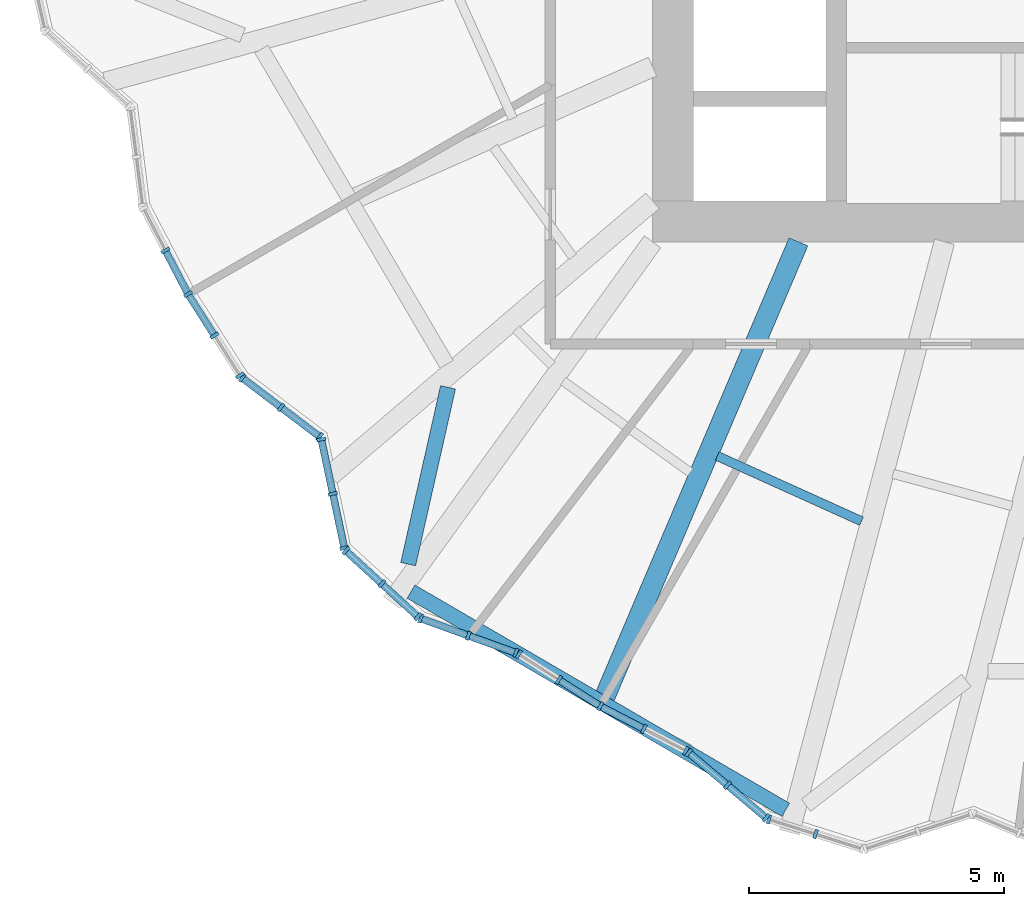
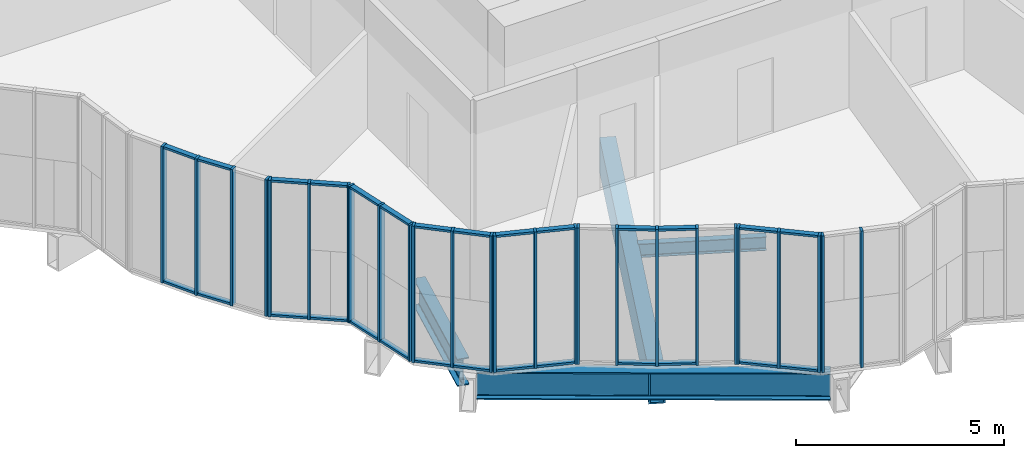
# One storey, part 1 of 23: 54 members, 4 beams, 10 elements without a shape of their own.
"""IFC4 building model written with IfcOpenShell, lengths in metres."""

from ifc_helpers import new_model, si_unit, direction, frame, origin, origin_2d, place, context, subcontext, project, spatial, rectangle, hollow_rectangle, i_section, extrude, material, material_profile, profile_set, type_object, element, aggregate, save


model = new_model("IFC4")

# Units and contexts
model_context = context("Model", 3, precision=1e-05, world=origin(), true_north=direction((0.0, 1.0)))
body_context = subcontext(model_context, "Body", "Model", "MODEL_VIEW")
ifc_project = project(units=[si_unit("LENGTHUNIT", "METRE"), si_unit("AREAUNIT", "SQUARE_METRE"), si_unit("VOLUMEUNIT", "CUBIC_METRE"), si_unit("PLANEANGLEUNIT", "RADIAN"), si_unit("MASSUNIT", "GRAM", prefix="KILO")], contexts=[model_context])

# Site, building, storey
site_placement = place(None, origin())
site = spatial("IfcSite", under=ifc_project, at=site_placement, CompositionType="ELEMENT")
building_placement = place(site_placement, origin())
building = spatial("IfcBuilding", under=site, at=building_placement, Name="Golbaran Civic Tower", CompositionType="ELEMENT")
storey_placement = place(building_placement, frame((0.0, 0.0, 33.0)))
storey = spatial("IfcBuildingStorey", under=building, at=storey_placement, Name="L07", CompositionType="ELEMENT", Elevation=33.0)

# Beams
ifc_material_1 = material(Name="Steel S355", Category="steel")
ifc_material_profile_1 = material_profile(ifc_material_1, i_section(OverallWidth=0.300048828125, OverallDepth=0.800048828125, WebThickness=0.017578125, FlangeThickness=0.032958984375, FilletRadius=0.030029296875, at=origin_2d()), Name="HEB 800")
ifc_profile_set_1 = profile_set([ifc_material_profile_1], Name="Steel S355")
beam_type_1 = type_object("IfcBeamType", Name="EDGE BEAM HEB 800", PredefinedType="BEAM", material=ifc_profile_set_1)
beam_1_placement = place(storey_placement, frame((-14.0029296875, -12.848388671875, -0.60009765625), z_axis=(-0.219887083462, -0.975525330541, 0.0), x_axis=(0.975525330541, -0.219887083462, 0.0)))
element("IfcBeam", 1, at=beam_1_placement, inside=storey, type_object=beam_type_1, Name="Edge beam 221.74 L07", PredefinedType="BEAM", context=body_context, shape_type="SweptSolid", body=[
    extrude(i_section(OverallWidth=0.300048828125, OverallDepth=0.800048828125, WebThickness=0.017578125, FlangeThickness=0.032958984375, FilletRadius=0.030029296875, at=origin_2d()), origin(), (0.0, 0.0, 1.0), 3.548583984375),
])
beam_2_placement = place(storey_placement, frame((-14.7275390625, -16.847412109375, -0.60009765625), z_axis=(0.864129155703, -0.503270108653, 0.0), x_axis=(0.503270108653, 0.864129155703, 0.0)))
element("IfcBeam", 2, at=beam_2_placement, inside=storey, type_object=beam_type_1, Name="Edge beam 228.64 L07", PredefinedType="BEAM", context=body_context, shape_type="SweptSolid", body=[
    extrude(i_section(OverallWidth=0.300048828125, OverallDepth=0.800048828125, WebThickness=0.017578125, FlangeThickness=0.032958984375, FilletRadius=0.030029296875, at=origin_2d()), origin(), (0.0, 0.0, 1.0), 8.489501953125),
])
ifc_material_profile_2 = material_profile(ifc_material_1, i_section(OverallWidth=0.179931640625, OverallDepth=0.39990234375, WebThickness=0.008544921875, FlangeThickness=0.013427734375, FilletRadius=0.02099609375, at=origin_2d()), Name="IPE 400")
ifc_profile_set_2 = profile_set([ifc_material_profile_2], Name="Steel S355")
beam_type_2 = type_object("IfcBeamType", Name="FLOOR INFILL BEAM IPE 400", PredefinedType="BEAM", material=ifc_profile_set_2)
beam_3_placement = place(storey_placement, frame((-8.732421875, -14.19384765625, -0.39990234375), z_axis=(0.91125999693, -0.411831540798, 0.0), x_axis=(0.411831540798, 0.91125999693, 0.0)))
element("IfcBeam", 3, at=beam_3_placement, inside=storey, type_object=beam_type_2, Name="Infill beam 245.68 L07", PredefinedType="BEAM", context=body_context, shape_type="SweptSolid", body=[
    extrude(i_section(OverallWidth=0.179931640625, OverallDepth=0.39990234375, WebThickness=0.008544921875, FlangeThickness=0.013427734375, FilletRadius=0.02099609375, at=origin_2d()), origin(), (0.0, 0.0, 1.0), 3.099365234375),
])

# Curtain wall, members
ifc_material_2 = material(Name="Aluminium and glass", Category="aluminium")
curtain_wall_type = type_object("IfcCurtainWallType", Name="INNER SKIN CURTAIN WALL", PredefinedType="NOTDEFINED", material=ifc_material_2)
curtain_wall_1_placement = place(storey_placement, origin())
curtain_wall_1 = element("IfcCurtainWall", 4, at=curtain_wall_1_placement, inside=storey, type_object=curtain_wall_type, Name="Inner skin L07 facet 42 CW1", ObjectType="INNER SKIN", PredefinedType="USERDEFINED")
ifc_material_3 = material(Name="Aluminium", Category="aluminium")
ifc_material_profile_3 = material_profile(ifc_material_3, rectangle(XDim=0.179931640625, YDim=0.06494140625, at=origin_2d()), Name="INNER SKIN CURTAIN WALL MULLION")
ifc_profile_set_3 = profile_set([ifc_material_profile_3], Name="Aluminium")
member_type_1 = type_object("IfcMemberType", Name="INNER SKIN CURTAIN WALL MULLION", PredefinedType="MULLION", material=ifc_profile_set_3)
member_1_placement = place(storey_placement, frame((-19.53564453125, -10.169677734375, 0.0), z_axis=(0.0, 0.0, 1.0), x_axis=(0.887010833146, 0.461748613297, 0.0)))
member_1 = element("IfcMember", 5, at=member_1_placement, type_object=member_type_1, Name="CW1 mullion 2", PredefinedType="MULLION", context=body_context, shape_type="SweptSolid", body=[
    extrude(rectangle(XDim=0.179931640625, YDim=0.06494140625, at=origin_2d()), origin(), (0.0, 0.0, 1.0), 4.0),
])
member_2_placement = place(storey_placement, frame((-19.091552734375, -11.0224609375, 0.0), z_axis=(0.0, 0.0, 1.0), x_axis=(0.866025403811, 0.499999999955, 0.0)))
member_2 = element("IfcMember", 6, at=member_2_placement, type_object=member_type_1, Name="CW1 mullion 3", PredefinedType="MULLION", context=body_context, shape_type="SweptSolid", body=[
    extrude(rectangle(XDim=0.179931640625, YDim=0.06494140625, at=origin_2d()), origin(), (0.0, 0.0, 1.0), 4.0),
])

curtain_wall_2_placement = place(storey_placement, origin())
curtain_wall_2 = element("IfcCurtainWall", 7, at=curtain_wall_2_placement, inside=storey, type_object=curtain_wall_type, Name="Inner skin L07 facet 43 CW1", ObjectType="INNER SKIN", PredefinedType="USERDEFINED")
member_3_placement = place(storey_placement, frame((-18.574951171875, -11.83349609375, 0.0), z_axis=(0.0, 0.0, 1.0), x_axis=(0.843391445775, 0.537299608406, 0.0)))
member_3 = element("IfcMember", 8, at=member_3_placement, type_object=member_type_1, Name="CW1 mullion 2", PredefinedType="MULLION", context=body_context, shape_type="SweptSolid", body=[
    extrude(rectangle(XDim=0.179931640625, YDim=0.06494140625, at=origin_2d()), origin(), (0.0, 0.0, 1.0), 4.0),
])
member_4_placement = place(storey_placement, frame((-18.07568359375, -12.6171875, 0.0), z_axis=(0.0, 0.0, 1.0), x_axis=(0.843391445775, 0.537299608406, 0.0)))
member_4 = element("IfcMember", 9, at=member_4_placement, type_object=member_type_1, Name="CW1 mullion 3", PredefinedType="MULLION", context=body_context, shape_type="SweptSolid", body=[
    extrude(rectangle(XDim=0.179931640625, YDim=0.06494140625, at=origin_2d()), origin(), (0.0, 0.0, 1.0), 4.0),
])

curtain_wall_3_placement = place(storey_placement, origin())
curtain_wall_3 = element("IfcCurtainWall", 10, at=curtain_wall_3_placement, inside=storey, type_object=curtain_wall_type, Name="Inner skin L07 facet 44 CW1", ObjectType="INNER SKIN", PredefinedType="USERDEFINED")
member_5_placement = place(storey_placement, frame((-18.0322265625, -12.6640625, 0.0), z_axis=(0.0, 0.0, 1.0), x_axis=(0.605153926324, 0.796108488496, 0.0)))
member_5 = element("IfcMember", 11, at=member_5_placement, type_object=member_type_1, Name="CW1 mullion 1", PredefinedType="MULLION", context=body_context, shape_type="SweptSolid", body=[
    extrude(rectangle(XDim=0.179931640625, YDim=0.06494140625, at=origin_2d()), origin(), (0.0, 0.0, 1.0), 4.0),
])
member_6_placement = place(storey_placement, frame((-17.27392578125, -13.240478515625, 0.0), z_axis=(0.0, 0.0, 1.0), x_axis=(0.605153926324, 0.796108488496, 0.0)))
member_6 = element("IfcMember", 12, at=member_6_placement, type_object=member_type_1, Name="CW1 mullion 2", PredefinedType="MULLION", context=body_context, shape_type="SweptSolid", body=[
    extrude(rectangle(XDim=0.179931640625, YDim=0.06494140625, at=origin_2d()), origin(), (0.0, 0.0, 1.0), 4.0),
])
member_7_placement = place(storey_placement, frame((-16.515625, -13.81689453125, 0.0), z_axis=(0.0, 0.0, 1.0), x_axis=(0.605153926324, 0.796108488496, 0.0)))
member_7 = element("IfcMember", 13, at=member_7_placement, type_object=member_type_1, Name="CW1 mullion 3", PredefinedType="MULLION", context=body_context, shape_type="SweptSolid", body=[
    extrude(rectangle(XDim=0.179931640625, YDim=0.06494140625, at=origin_2d()), origin(), (0.0, 0.0, 1.0), 4.0),
])

curtain_wall_4_placement = place(storey_placement, origin())
curtain_wall_4 = element("IfcCurtainWall", 14, at=curtain_wall_4_placement, inside=storey, type_object=curtain_wall_type, Name="Inner skin L07 facet 45 CW1", ObjectType="INNER SKIN", PredefinedType="USERDEFINED")
member_8_placement = place(storey_placement, frame((-16.483154296875, -13.868408203125, 0.0), z_axis=(0.0, 0.0, 1.0), x_axis=(0.978345790501, 0.206977086194, 0.0)))
member_8 = element("IfcMember", 15, at=member_8_placement, type_object=member_type_1, Name="CW1 mullion 1", PredefinedType="MULLION", context=body_context, shape_type="SweptSolid", body=[
    extrude(rectangle(XDim=0.179931640625, YDim=0.06494140625, at=origin_2d()), origin(), (0.0, 0.0, 1.0), 4.0),
])
member_9_placement = place(storey_placement, frame((-16.25830078125, -14.931640625, 0.0), z_axis=(0.0, 0.0, 1.0), x_axis=(0.978345790501, 0.206977086194, 0.0)))
member_9 = element("IfcMember", 16, at=member_9_placement, type_object=member_type_1, Name="CW1 mullion 2", PredefinedType="MULLION", context=body_context, shape_type="SweptSolid", body=[
    extrude(rectangle(XDim=0.179931640625, YDim=0.06494140625, at=origin_2d()), origin(), (0.0, 0.0, 1.0), 4.0),
])
member_10_placement = place(storey_placement, frame((-16.033203125, -15.994873046875, 0.0), z_axis=(0.0, 0.0, 1.0), x_axis=(0.978345790501, 0.206977086194, 0.0)))
member_10 = element("IfcMember", 17, at=member_10_placement, type_object=member_type_1, Name="CW1 mullion 3", PredefinedType="MULLION", context=body_context, shape_type="SweptSolid", body=[
    extrude(rectangle(XDim=0.179931640625, YDim=0.06494140625, at=origin_2d()), origin(), (0.0, 0.0, 1.0), 4.0),
])

curtain_wall_5_placement = place(storey_placement, origin())
curtain_wall_5 = element("IfcCurtainWall", 18, at=curtain_wall_5_placement, inside=storey, type_object=curtain_wall_type, Name="Inner skin L07 facet 46 CW1", ObjectType="INNER SKIN", PredefinedType="USERDEFINED")
member_11_placement = place(storey_placement, frame((-16.002685546875, -16.048583984375, 0.0), z_axis=(0.0, 0.0, 1.0), x_axis=(0.675590207436, 0.737277336975, 0.0)))
member_11 = element("IfcMember", 19, at=member_11_placement, type_object=member_type_1, Name="CW1 mullion 1", PredefinedType="MULLION", context=body_context, shape_type="SweptSolid", body=[
    extrude(rectangle(XDim=0.179931640625, YDim=0.06494140625, at=origin_2d()), origin(), (0.0, 0.0, 1.0), 4.0),
])
member_12_placement = place(storey_placement, frame((-15.297607421875, -16.694580078125, 0.0), z_axis=(0.0, 0.0, 1.0), x_axis=(0.675590207436, 0.737277336975, 0.0)))
member_12 = element("IfcMember", 20, at=member_12_placement, type_object=member_type_1, Name="CW1 mullion 2", PredefinedType="MULLION", context=body_context, shape_type="SweptSolid", body=[
    extrude(rectangle(XDim=0.179931640625, YDim=0.06494140625, at=origin_2d()), origin(), (0.0, 0.0, 1.0), 4.0),
])
member_13_placement = place(storey_placement, frame((-14.5927734375, -17.34033203125, 0.0), z_axis=(0.0, 0.0, 1.0), x_axis=(0.675590207436, 0.737277336975, 0.0)))
member_13 = element("IfcMember", 21, at=member_13_placement, type_object=member_type_1, Name="CW1 mullion 3", PredefinedType="MULLION", context=body_context, shape_type="SweptSolid", body=[
    extrude(rectangle(XDim=0.179931640625, YDim=0.06494140625, at=origin_2d()), origin(), (0.0, 0.0, 1.0), 4.0),
])

curtain_wall_6_placement = place(storey_placement, origin())
curtain_wall_6 = element("IfcCurtainWall", 22, at=curtain_wall_6_placement, inside=storey, type_object=curtain_wall_type, Name="Inner skin L07 facet 47 CW1", ObjectType="INNER SKIN", PredefinedType="USERDEFINED")
member_14_placement = place(storey_placement, frame((-14.538330078125, -17.37353515625, 0.0), z_axis=(0.0, 0.0, 1.0), x_axis=(0.340045420228, 0.940409013239, 0.0)))
member_14 = element("IfcMember", 23, at=member_14_placement, type_object=member_type_1, Name="CW1 mullion 1", PredefinedType="MULLION", context=body_context, shape_type="SweptSolid", body=[
    extrude(rectangle(XDim=0.179931640625, YDim=0.06494140625, at=origin_2d()), origin(), (0.0, 0.0, 1.0), 4.0),
])
member_15_placement = place(storey_placement, frame((-13.606689453125, -17.710205078125, 0.0), z_axis=(0.0, 0.0, 1.0), x_axis=(0.340045420228, 0.940409013239, 0.0)))
member_15 = element("IfcMember", 24, at=member_15_placement, type_object=member_type_1, Name="CW1 mullion 2", PredefinedType="MULLION", context=body_context, shape_type="SweptSolid", body=[
    extrude(rectangle(XDim=0.179931640625, YDim=0.06494140625, at=origin_2d()), origin(), (0.0, 0.0, 1.0), 4.0),
])
member_16_placement = place(storey_placement, frame((-12.675048828125, -18.047119140625, 0.0), z_axis=(0.0, 0.0, 1.0), x_axis=(0.340045420228, 0.940409013239, 0.0)))
member_16 = element("IfcMember", 25, at=member_16_placement, type_object=member_type_1, Name="CW1 mullion 3", PredefinedType="MULLION", context=body_context, shape_type="SweptSolid", body=[
    extrude(rectangle(XDim=0.179931640625, YDim=0.06494140625, at=origin_2d()), origin(), (0.0, 0.0, 1.0), 4.0),
])

curtain_wall_7_placement = place(storey_placement, origin())
curtain_wall_7 = element("IfcCurtainWall", 26, at=curtain_wall_7_placement, inside=storey, type_object=curtain_wall_type, Name="Inner skin L07 facet 48 CW1", ObjectType="INNER SKIN", PredefinedType="USERDEFINED")
member_17_placement = place(storey_placement, frame((-12.6171875, -18.07568359375, 0.0), z_axis=(0.0, 0.0, 1.0), x_axis=(0.537299608406, 0.843391445775, 0.0)))
member_17 = element("IfcMember", 27, at=member_17_placement, type_object=member_type_1, Name="CW1 mullion 1", PredefinedType="MULLION", context=body_context, shape_type="SweptSolid", body=[
    extrude(rectangle(XDim=0.179931640625, YDim=0.06494140625, at=origin_2d()), origin(), (0.0, 0.0, 1.0), 4.0),
])
member_18_placement = place(storey_placement, frame((-11.83349609375, -18.574951171875, 0.0), z_axis=(0.0, 0.0, 1.0), x_axis=(0.537299608406, 0.843391445775, 0.0)))
member_18 = element("IfcMember", 28, at=member_18_placement, type_object=member_type_1, Name="CW1 mullion 2", PredefinedType="MULLION", context=body_context, shape_type="SweptSolid", body=[
    extrude(rectangle(XDim=0.179931640625, YDim=0.06494140625, at=origin_2d()), origin(), (0.0, 0.0, 1.0), 4.0),
])
member_19_placement = place(storey_placement, frame((-11.0224609375, -19.091552734375, 0.0), z_axis=(0.0, 0.0, 1.0), x_axis=(0.500000000121, 0.866025403715, 0.0)))
member_19 = element("IfcMember", 29, at=member_19_placement, type_object=member_type_1, Name="CW1 mullion 3", PredefinedType="MULLION", context=body_context, shape_type="SweptSolid", body=[
    extrude(rectangle(XDim=0.179931640625, YDim=0.06494140625, at=origin_2d()), origin(), (0.0, 0.0, 1.0), 4.0),
])

curtain_wall_8_placement = place(storey_placement, origin())
curtain_wall_8 = element("IfcCurtainWall", 30, at=curtain_wall_8_placement, inside=storey, type_object=curtain_wall_type, Name="Inner skin L07 facet 49 CW1", ObjectType="INNER SKIN", PredefinedType="USERDEFINED")
member_20_placement = place(storey_placement, frame((-10.169677734375, -19.53564453125, 0.0), z_axis=(0.0, 0.0, 1.0), x_axis=(0.461748613297, 0.887010833146, 0.0)))
member_20 = element("IfcMember", 31, at=member_20_placement, type_object=member_type_1, Name="CW1 mullion 2", PredefinedType="MULLION", context=body_context, shape_type="SweptSolid", body=[
    extrude(rectangle(XDim=0.179931640625, YDim=0.06494140625, at=origin_2d()), origin(), (0.0, 0.0, 1.0), 4.0),
])
member_21_placement = place(storey_placement, frame((-9.345458984375, -19.964599609375, 0.0), z_axis=(0.0, 0.0, 1.0), x_axis=(0.461748613297, 0.887010833146, 0.0)))
member_21 = element("IfcMember", 32, at=member_21_placement, type_object=member_type_1, Name="CW1 mullion 3", PredefinedType="MULLION", context=body_context, shape_type="SweptSolid", body=[
    extrude(rectangle(XDim=0.179931640625, YDim=0.06494140625, at=origin_2d()), origin(), (0.0, 0.0, 1.0), 4.0),
])

curtain_wall_9_placement = place(storey_placement, origin())
curtain_wall_9 = element("IfcCurtainWall", 33, at=curtain_wall_9_placement, inside=storey, type_object=curtain_wall_type, Name="Inner skin L07 facet 50 CW1", ObjectType="INNER SKIN", PredefinedType="USERDEFINED")
member_22_placement = place(storey_placement, frame((-9.291748046875, -20.00048828125, 0.0), z_axis=(0.0, 0.0, 1.0), x_axis=(0.644395385113, 0.764692479135, 0.0)))
member_22 = element("IfcMember", 34, at=member_22_placement, type_object=member_type_1, Name="CW1 mullion 1", PredefinedType="MULLION", context=body_context, shape_type="SweptSolid", body=[
    extrude(rectangle(XDim=0.179931640625, YDim=0.06494140625, at=origin_2d()), origin(), (0.0, 0.0, 1.0), 4.0),
])
member_23_placement = place(storey_placement, frame((-8.5341796875, -20.638916015625, 0.0), z_axis=(0.0, 0.0, 1.0), x_axis=(0.644395385113, 0.764692479135, 0.0)))
member_23 = element("IfcMember", 35, at=member_23_placement, type_object=member_type_1, Name="CW1 mullion 2", PredefinedType="MULLION", context=body_context, shape_type="SweptSolid", body=[
    extrude(rectangle(XDim=0.179931640625, YDim=0.06494140625, at=origin_2d()), origin(), (0.0, 0.0, 1.0), 4.0),
])
member_24_placement = place(storey_placement, frame((-7.77685546875, -21.277099609375, 0.0), z_axis=(0.0, 0.0, 1.0), x_axis=(0.644395385113, 0.764692479135, 0.0)))
member_24 = element("IfcMember", 36, at=member_24_placement, type_object=member_type_1, Name="CW1 mullion 3", PredefinedType="MULLION", context=body_context, shape_type="SweptSolid", body=[
    extrude(rectangle(XDim=0.179931640625, YDim=0.06494140625, at=origin_2d()), origin(), (0.0, 0.0, 1.0), 4.0),
])

curtain_wall_10_placement = place(storey_placement, origin())
curtain_wall_10 = element("IfcCurtainWall", 37, at=curtain_wall_10_placement, inside=storey, type_object=curtain_wall_type, Name="Inner skin L07 facet 51 CW1", ObjectType="INNER SKIN", PredefinedType="USERDEFINED")
member_25_placement = place(storey_placement, frame((-7.720947265625, -21.307861328125, 0.0), z_axis=(0.0, 0.0, 1.0), x_axis=(0.300705799654, 0.953716950701, 0.0)))
member_25 = element("IfcMember", 38, at=member_25_placement, type_object=member_type_1, Name="CW1 mullion 1", PredefinedType="MULLION", context=body_context, shape_type="SweptSolid", body=[
    extrude(rectangle(XDim=0.179931640625, YDim=0.06494140625, at=origin_2d()), origin(), (0.0, 0.0, 1.0), 4.0),
])
member_26_placement = place(storey_placement, frame((-6.80908203125, -21.595458984375, 0.0), z_axis=(0.0, 0.0, 1.0), x_axis=(0.300705799654, 0.953716950701, 0.0)))
member_26 = element("IfcMember", 39, at=member_26_placement, type_object=member_type_1, Name="CW1 mullion 2", PredefinedType="MULLION", context=body_context, shape_type="SweptSolid", body=[
    extrude(rectangle(XDim=0.179931640625, YDim=0.06494140625, at=origin_2d()), origin(), (0.0, 0.0, 1.0), 4.0),
])
aggregate(curtain_wall_10, [member_25, member_26])

# Member
ifc_material_profile_4 = material_profile(ifc_material_3, rectangle(XDim=0.139892578125, YDim=0.06494140625, at=origin_2d()), Name="INNER SKIN CURTAIN WALL TRANSOM")
ifc_profile_set_4 = profile_set([ifc_material_profile_4], Name="Aluminium")
member_type_2 = type_object("IfcMemberType", Name="INNER SKIN CURTAIN WALL TRANSOM", PredefinedType="USERDEFINED", material=ifc_profile_set_4)
member_27_placement = place(storey_placement, frame((-19.5205078125, -10.198486328125, 0.032470703125), z_axis=(0.461858549969, -0.886953595077, 0.0), x_axis=(0.886953595077, 0.461858549969, 0.0)))
member_27 = element("IfcMember", 40, at=member_27_placement, type_object=member_type_2, Name="CW1 transom 2.1", ObjectType="TRANSOM", PredefinedType="USERDEFINED", context=body_context, shape_type="SweptSolid", body=[
    extrude(rectangle(XDim=0.139892578125, YDim=0.06494140625, at=origin_2d()), origin(), (0.0, 0.0, 1.0), 0.896484375),
])

member_28_placement = place(storey_placement, frame((-19.5205078125, -10.198486328125, 3.967529296875), z_axis=(0.461858549969, -0.886953595077, 0.0), x_axis=(0.886953595077, 0.461858549969, 0.0)))
member_28 = element("IfcMember", 41, at=member_28_placement, type_object=member_type_2, Name="CW1 transom 2.2", ObjectType="TRANSOM", PredefinedType="USERDEFINED", context=body_context, shape_type="SweptSolid", body=[
    extrude(rectangle(XDim=0.139892578125, YDim=0.06494140625, at=origin_2d()), origin(), (0.0, 0.0, 1.0), 0.896484375),
])

aggregate(curtain_wall_1, [member_1, member_2, member_27, member_28])

member_29_placement = place(storey_placement, frame((-19.073974609375, -11.0498046875, 0.032470703125), z_axis=(0.537174947693, -0.843470850457, 0.0), x_axis=(0.843470850457, 0.537174947693, 0.0)))
member_29 = element("IfcMember", 42, at=member_29_placement, type_object=member_type_2, Name="CW1 transom 1.1", ObjectType="TRANSOM", PredefinedType="USERDEFINED", context=body_context, shape_type="SweptSolid", body=[
    extrude(rectangle(XDim=0.139892578125, YDim=0.06494140625, at=origin_2d()), origin(), (0.0, 0.0, 1.0), 0.896728515625),
])

member_30_placement = place(storey_placement, frame((-19.073974609375, -11.0498046875, 3.967529296875), z_axis=(0.537174947693, -0.843470850457, 0.0), x_axis=(0.843470850457, 0.537174947693, 0.0)))
member_30 = element("IfcMember", 43, at=member_30_placement, type_object=member_type_2, Name="CW1 transom 1.2", ObjectType="TRANSOM", PredefinedType="USERDEFINED", context=body_context, shape_type="SweptSolid", body=[
    extrude(rectangle(XDim=0.139892578125, YDim=0.06494140625, at=origin_2d()), origin(), (0.0, 0.0, 1.0), 0.896728515625),
])

aggregate(curtain_wall_2, [member_3, member_4, member_29, member_30])

member_31_placement = place(storey_placement, frame((-18.00634765625, -12.683837890625, 0.032470703125), z_axis=(0.79608797731, -0.605180908805, 0.0), x_axis=(0.605180908805, 0.79608797731, 0.0)))
member_31 = element("IfcMember", 44, at=member_31_placement, type_object=member_type_2, Name="CW1 transom 1.1", ObjectType="TRANSOM", PredefinedType="USERDEFINED", context=body_context, shape_type="SweptSolid", body=[
    extrude(rectangle(XDim=0.139892578125, YDim=0.06494140625, at=origin_2d()), origin(), (0.0, 0.0, 1.0), 0.887451171875),
])

member_32_placement = place(storey_placement, frame((-18.00634765625, -12.683837890625, 3.967529296875), z_axis=(0.79608797731, -0.605180908805, 0.0), x_axis=(0.605180908805, 0.79608797731, 0.0)))
member_32 = element("IfcMember", 45, at=member_32_placement, type_object=member_type_2, Name="CW1 transom 1.2", ObjectType="TRANSOM", PredefinedType="USERDEFINED", context=body_context, shape_type="SweptSolid", body=[
    extrude(rectangle(XDim=0.139892578125, YDim=0.06494140625, at=origin_2d()), origin(), (0.0, 0.0, 1.0), 0.887451171875),
])

member_33_placement = place(storey_placement, frame((-17.248046875, -13.26025390625, 0.032470703125), z_axis=(0.79608797731, -0.605180908805, 0.0), x_axis=(0.605180908805, 0.79608797731, 0.0)))
member_33 = element("IfcMember", 46, at=member_33_placement, type_object=member_type_2, Name="CW1 transom 2.1", ObjectType="TRANSOM", PredefinedType="USERDEFINED", context=body_context, shape_type="SweptSolid", body=[
    extrude(rectangle(XDim=0.139892578125, YDim=0.06494140625, at=origin_2d()), origin(), (0.0, 0.0, 1.0), 0.887451171875),
])

member_34_placement = place(storey_placement, frame((-17.248046875, -13.26025390625, 3.967529296875), z_axis=(0.79608797731, -0.605180908805, 0.0), x_axis=(0.605180908805, 0.79608797731, 0.0)))
member_34 = element("IfcMember", 47, at=member_34_placement, type_object=member_type_2, Name="CW1 transom 2.2", ObjectType="TRANSOM", PredefinedType="USERDEFINED", context=body_context, shape_type="SweptSolid", body=[
    extrude(rectangle(XDim=0.139892578125, YDim=0.06494140625, at=origin_2d()), origin(), (0.0, 0.0, 1.0), 0.887451171875),
])

aggregate(curtain_wall_3, [member_5, member_6, member_7, member_31, member_32, member_33, member_34])

member_35_placement = place(storey_placement, frame((-16.476318359375, -13.900146484375, 0.032470703125), z_axis=(0.20690141995, -0.978361795259, 0.0), x_axis=(0.978361795259, 0.20690141995, 0.0)))
member_35 = element("IfcMember", 48, at=member_35_placement, type_object=member_type_2, Name="CW1 transom 1.1", ObjectType="TRANSOM", PredefinedType="USERDEFINED", context=body_context, shape_type="SweptSolid", body=[
    extrude(rectangle(XDim=0.139892578125, YDim=0.06494140625, at=origin_2d()), origin(), (0.0, 0.0, 1.0), 1.02197265625),
])

member_36_placement = place(storey_placement, frame((-16.476318359375, -13.900146484375, 3.967529296875), z_axis=(0.20690141995, -0.978361795259, 0.0), x_axis=(0.978361795259, 0.20690141995, 0.0)))
member_36 = element("IfcMember", 49, at=member_36_placement, type_object=member_type_2, Name="CW1 transom 1.2", ObjectType="TRANSOM", PredefinedType="USERDEFINED", context=body_context, shape_type="SweptSolid", body=[
    extrude(rectangle(XDim=0.139892578125, YDim=0.06494140625, at=origin_2d()), origin(), (0.0, 0.0, 1.0), 1.02197265625),
])

member_37_placement = place(storey_placement, frame((-16.25146484375, -14.96337890625, 0.032470703125), z_axis=(0.206949793481, -0.978351564101, 0.0), x_axis=(0.978351564101, 0.206949793481, 0.0)))
member_37 = element("IfcMember", 50, at=member_37_placement, type_object=member_type_2, Name="CW1 transom 2.1", ObjectType="TRANSOM", PredefinedType="USERDEFINED", context=body_context, shape_type="SweptSolid", body=[
    extrude(rectangle(XDim=0.139892578125, YDim=0.06494140625, at=origin_2d()), origin(), (0.0, 0.0, 1.0), 1.021728515625),
])

member_38_placement = place(storey_placement, frame((-16.25146484375, -14.96337890625, 3.967529296875), z_axis=(0.206949793481, -0.978351564101, 0.0), x_axis=(0.978351564101, 0.206949793481, 0.0)))
member_38 = element("IfcMember", 51, at=member_38_placement, type_object=member_type_2, Name="CW1 transom 2.2", ObjectType="TRANSOM", PredefinedType="USERDEFINED", context=body_context, shape_type="SweptSolid", body=[
    extrude(rectangle(XDim=0.139892578125, YDim=0.06494140625, at=origin_2d()), origin(), (0.0, 0.0, 1.0), 1.021728515625),
])

aggregate(curtain_wall_4, [member_8, member_9, member_10, member_35, member_36, member_37, member_38])

member_39_placement = place(storey_placement, frame((-15.978759765625, -16.070556640625, 0.032470703125), z_axis=(0.737381500306, -0.675476515511, 0.0), x_axis=(0.675476515511, 0.737381500306, 0.0)))
member_39 = element("IfcMember", 52, at=member_39_placement, type_object=member_type_2, Name="CW1 transom 1.1", ObjectType="TRANSOM", PredefinedType="USERDEFINED", context=body_context, shape_type="SweptSolid", body=[
    extrude(rectangle(XDim=0.139892578125, YDim=0.06494140625, at=origin_2d()), origin(), (0.0, 0.0, 1.0), 0.891357421875),
])

member_40_placement = place(storey_placement, frame((-15.978759765625, -16.070556640625, 3.967529296875), z_axis=(0.737381500306, -0.675476515511, 0.0), x_axis=(0.675476515511, 0.737381500306, 0.0)))
member_40 = element("IfcMember", 53, at=member_40_placement, type_object=member_type_2, Name="CW1 transom 1.2", ObjectType="TRANSOM", PredefinedType="USERDEFINED", context=body_context, shape_type="SweptSolid", body=[
    extrude(rectangle(XDim=0.139892578125, YDim=0.06494140625, at=origin_2d()), origin(), (0.0, 0.0, 1.0), 0.891357421875),
])

member_41_placement = place(storey_placement, frame((-15.273681640625, -16.716552734375, 0.032470703125), z_axis=(0.737256483247, -0.675612964581, 0.0), x_axis=(0.675612964581, 0.737256483247, 0.0)))
member_41 = element("IfcMember", 54, at=member_41_placement, type_object=member_type_2, Name="CW1 transom 2.1", ObjectType="TRANSOM", PredefinedType="USERDEFINED", context=body_context, shape_type="SweptSolid", body=[
    extrude(rectangle(XDim=0.139892578125, YDim=0.06494140625, at=origin_2d()), origin(), (0.0, 0.0, 1.0), 0.89111328125),
])

member_42_placement = place(storey_placement, frame((-15.273681640625, -16.716552734375, 3.967529296875), z_axis=(0.737256483247, -0.675612964581, 0.0), x_axis=(0.675612964581, 0.737256483247, 0.0)))
member_42 = element("IfcMember", 55, at=member_42_placement, type_object=member_type_2, Name="CW1 transom 2.2", ObjectType="TRANSOM", PredefinedType="USERDEFINED", context=body_context, shape_type="SweptSolid", body=[
    extrude(rectangle(XDim=0.139892578125, YDim=0.06494140625, at=origin_2d()), origin(), (0.0, 0.0, 1.0), 0.89111328125),
])

aggregate(curtain_wall_5, [member_11, member_12, member_13, member_39, member_40, member_41, member_42])

member_43_placement = place(storey_placement, frame((-14.507568359375, -17.384521484375, 0.032470703125), z_axis=(0.940415714174, -0.340026887958, 0.0), x_axis=(0.340026887958, 0.940415714174, 0.0)))
member_43 = element("IfcMember", 56, at=member_43_placement, type_object=member_type_2, Name="CW1 transom 1.1", ObjectType="TRANSOM", PredefinedType="USERDEFINED", context=body_context, shape_type="SweptSolid", body=[
    extrude(rectangle(XDim=0.139892578125, YDim=0.06494140625, at=origin_2d()), origin(), (0.0, 0.0, 1.0), 0.925537109375),
])

member_44_placement = place(storey_placement, frame((-14.507568359375, -17.384521484375, 3.967529296875), z_axis=(0.940415714174, -0.340026887958, 0.0), x_axis=(0.340026887958, 0.940415714174, 0.0)))
member_44 = element("IfcMember", 57, at=member_44_placement, type_object=member_type_2, Name="CW1 transom 1.2", ObjectType="TRANSOM", PredefinedType="USERDEFINED", context=body_context, shape_type="SweptSolid", body=[
    extrude(rectangle(XDim=0.139892578125, YDim=0.06494140625, at=origin_2d()), origin(), (0.0, 0.0, 1.0), 0.925537109375),
])

member_45_placement = place(storey_placement, frame((-13.576171875, -17.721435546875, 0.032470703125), z_axis=(0.940446201918, -0.339942555881, 0.0), x_axis=(0.339942555881, 0.940446201918, 0.0)))
member_45 = element("IfcMember", 58, at=member_45_placement, type_object=member_type_2, Name="CW1 transom 2.1", ObjectType="TRANSOM", PredefinedType="USERDEFINED", context=body_context, shape_type="SweptSolid", body=[
    extrude(rectangle(XDim=0.139892578125, YDim=0.06494140625, at=origin_2d()), origin(), (0.0, 0.0, 1.0), 0.92578125),
])

member_46_placement = place(storey_placement, frame((-13.576171875, -17.721435546875, 3.967529296875), z_axis=(0.940446201918, -0.339942555881, 0.0), x_axis=(0.339942555881, 0.940446201918, 0.0)))
member_46 = element("IfcMember", 59, at=member_46_placement, type_object=member_type_2, Name="CW1 transom 2.2", ObjectType="TRANSOM", PredefinedType="USERDEFINED", context=body_context, shape_type="SweptSolid", body=[
    extrude(rectangle(XDim=0.139892578125, YDim=0.06494140625, at=origin_2d()), origin(), (0.0, 0.0, 1.0), 0.92578125),
])

aggregate(curtain_wall_6, [member_14, member_15, member_16, member_43, member_44, member_45, member_46])

member_47_placement = place(storey_placement, frame((-11.80615234375, -18.59228515625, 0.032470703125), z_axis=(0.843470850457, -0.537174947693, 0.0), x_axis=(0.537174947693, 0.843470850457, 0.0)))
member_47 = element("IfcMember", 60, at=member_47_placement, type_object=member_type_2, Name="CW1 transom 2.1", ObjectType="TRANSOM", PredefinedType="USERDEFINED", context=body_context, shape_type="SweptSolid", body=[
    extrude(rectangle(XDim=0.139892578125, YDim=0.06494140625, at=origin_2d()), origin(), (0.0, 0.0, 1.0), 0.896728515625),
])

member_48_placement = place(storey_placement, frame((-11.80615234375, -18.59228515625, 3.967529296875), z_axis=(0.843470850457, -0.537174947693, 0.0), x_axis=(0.537174947693, 0.843470850457, 0.0)))
member_48 = element("IfcMember", 61, at=member_48_placement, type_object=member_type_2, Name="CW1 transom 2.2", ObjectType="TRANSOM", PredefinedType="USERDEFINED", context=body_context, shape_type="SweptSolid", body=[
    extrude(rectangle(XDim=0.139892578125, YDim=0.06494140625, at=origin_2d()), origin(), (0.0, 0.0, 1.0), 0.896728515625),
])

aggregate(curtain_wall_7, [member_17, member_18, member_19, member_47, member_48])

member_49_placement = place(storey_placement, frame((-10.99365234375, -19.1064453125, 0.032470703125), z_axis=(0.886953595077, -0.461858549969, 0.0), x_axis=(0.461858549969, 0.886953595077, 0.0)))
member_49 = element("IfcMember", 62, at=member_49_placement, type_object=member_type_2, Name="CW1 transom 1.1", ObjectType="TRANSOM", PredefinedType="USERDEFINED", context=body_context, shape_type="SweptSolid", body=[
    extrude(rectangle(XDim=0.139892578125, YDim=0.06494140625, at=origin_2d()), origin(), (0.0, 0.0, 1.0), 0.896484375),
])

member_50_placement = place(storey_placement, frame((-10.99365234375, -19.1064453125, 3.967529296875), z_axis=(0.886953595077, -0.461858549969, 0.0), x_axis=(0.461858549969, 0.886953595077, 0.0)))
member_50 = element("IfcMember", 63, at=member_50_placement, type_object=member_type_2, Name="CW1 transom 1.2", ObjectType="TRANSOM", PredefinedType="USERDEFINED", context=body_context, shape_type="SweptSolid", body=[
    extrude(rectangle(XDim=0.139892578125, YDim=0.06494140625, at=origin_2d()), origin(), (0.0, 0.0, 1.0), 0.896484375),
])

aggregate(curtain_wall_8, [member_20, member_21, member_49, member_50])

member_51_placement = place(storey_placement, frame((-9.266845703125, -20.021484375, 0.032470703125), z_axis=(0.76468542423, -0.644403756949, 0.0), x_axis=(0.644403756949, 0.76468542423, 0.0)))
member_51 = element("IfcMember", 64, at=member_51_placement, type_object=member_type_2, Name="CW1 transom 1.1", ObjectType="TRANSOM", PredefinedType="USERDEFINED", context=body_context, shape_type="SweptSolid", body=[
    extrude(rectangle(XDim=0.139892578125, YDim=0.06494140625, at=origin_2d()), origin(), (0.0, 0.0, 1.0), 0.925537109375),
])

member_52_placement = place(storey_placement, frame((-9.266845703125, -20.021484375, 3.967529296875), z_axis=(0.76468542423, -0.644403756949, 0.0), x_axis=(0.644403756949, 0.76468542423, 0.0)))
member_52 = element("IfcMember", 65, at=member_52_placement, type_object=member_type_2, Name="CW1 transom 1.2", ObjectType="TRANSOM", PredefinedType="USERDEFINED", context=body_context, shape_type="SweptSolid", body=[
    extrude(rectangle(XDim=0.139892578125, YDim=0.06494140625, at=origin_2d()), origin(), (0.0, 0.0, 1.0), 0.925537109375),
])

member_53_placement = place(storey_placement, frame((-8.509521484375, -20.65966796875, 0.032470703125), z_axis=(0.764664986207, -0.644428009066, 0.0), x_axis=(0.644428009066, 0.764664986207, 0.0)))
member_53 = element("IfcMember", 66, at=member_53_placement, type_object=member_type_2, Name="CW1 transom 2.1", ObjectType="TRANSOM", PredefinedType="USERDEFINED", context=body_context, shape_type="SweptSolid", body=[
    extrude(rectangle(XDim=0.139892578125, YDim=0.06494140625, at=origin_2d()), origin(), (0.0, 0.0, 1.0), 0.926025390625),
])

member_54_placement = place(storey_placement, frame((-8.509521484375, -20.65966796875, 3.967529296875), z_axis=(0.764664986207, -0.644428009066, 0.0), x_axis=(0.644428009066, 0.764664986207, 0.0)))
member_54 = element("IfcMember", 67, at=member_54_placement, type_object=member_type_2, Name="CW1 transom 2.2", ObjectType="TRANSOM", PredefinedType="USERDEFINED", context=body_context, shape_type="SweptSolid", body=[
    extrude(rectangle(XDim=0.139892578125, YDim=0.06494140625, at=origin_2d()), origin(), (0.0, 0.0, 1.0), 0.926025390625),
])

aggregate(curtain_wall_9, [member_22, member_23, member_24, member_51, member_52, member_53, member_54])

# Beam
ifc_material_profile_5 = material_profile(ifc_material_1, hollow_rectangle(XDim=0.39990234375, YDim=1.0, WallThickness=0.0400390625, at=origin_2d()), Name="BOX 1000x400x40")
ifc_profile_set_5 = profile_set([ifc_material_profile_5], Name="Steel S355")
beam_type_3 = type_object("IfcBeamType", Name="SECONDARY FLOOR BEAM BOX 1000x400x40", PredefinedType="BEAM", material=ifc_profile_set_5)
beam_4_placement = place(storey_placement, frame((-7.142822265625, -10.0, -0.7099609375), z_axis=(-0.391659612274, -0.920110182594, 0.0), x_axis=(0.920110182594, -0.391659612274, 0.0)))
element("IfcBeam", 68, at=beam_4_placement, inside=storey, type_object=beam_type_3, Name="Secondary beam 240.00 L07", PredefinedType="BEAM", context=body_context, shape_type="SweptSolid", body=[
    extrude(hollow_rectangle(XDim=0.39990234375, YDim=1.0, WallThickness=0.0400390625, at=origin_2d()), origin(), (0.0, 0.0, 1.0), 9.810791015625),
])

save(model, "model.ifc")
